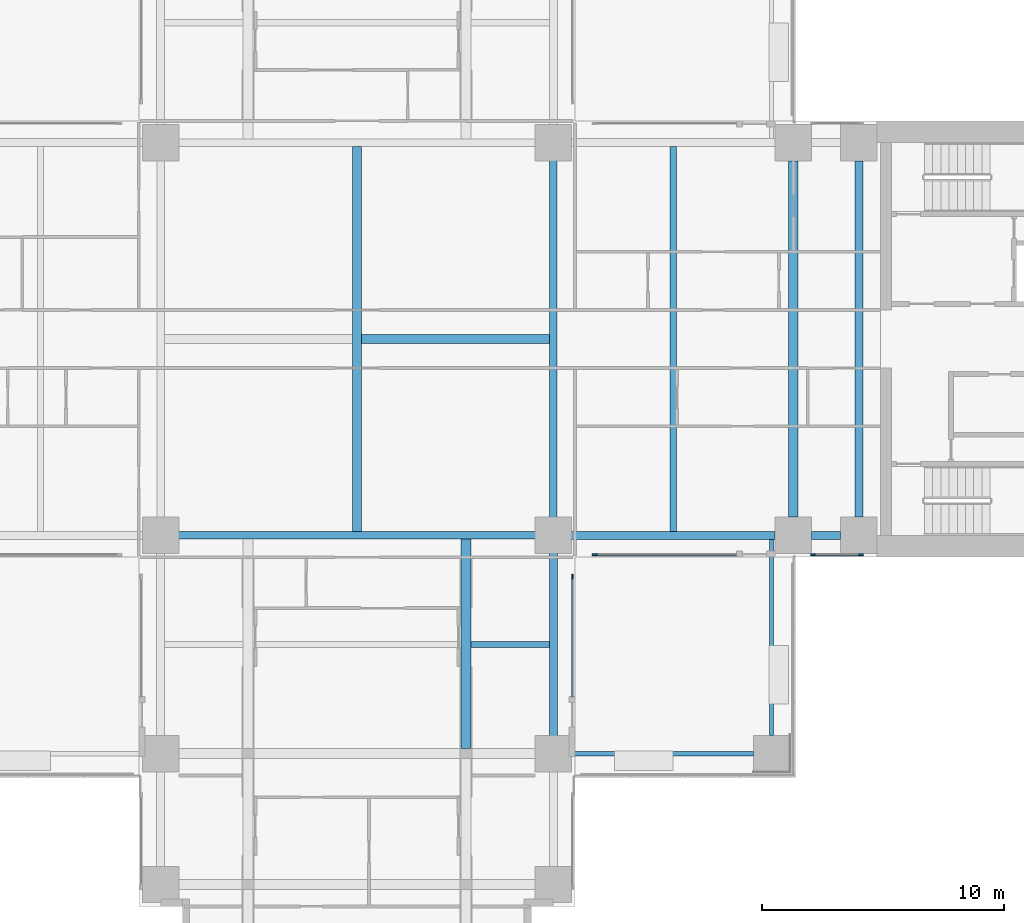
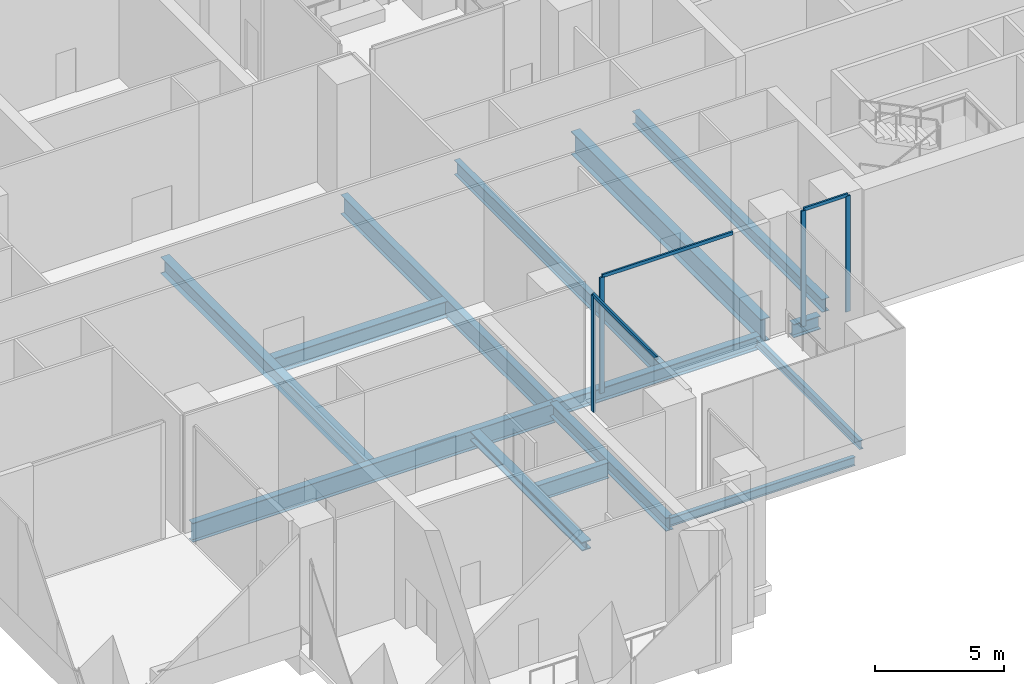
# One storey, part 3 of 17: 14 beams, 7 members, 3 elements without a shape of their own.
"""IFC4 building model written with IfcOpenShell, lengths in metres."""

import ifcopenshell
import ifcopenshell.guid

model = None  # the IFC model being written
_history = None  # IfcOwnerHistory: only IFC2X3 demands one
_inside = {}  # id of a spatial element -> (the spatial element, [elements in it])
_under = {}  # id of a project, library or spatial element -> (it, [spatial elements below it])
_declared = {}  # id of a project -> (the project, [libraries it declares])
_typed = {}  # id of a type object -> (the type object, [elements of that type])
_made_of = {}  # id of a material, layer set ... -> (it, [elements and type objects made of it])


def new_model(schema):
    """Start an empty IFC model of exactly this schema.

    Asked for "IFC4X3", IfcOpenShell would pick the latest addendum, in which some entities
    have other attributes; the version numbers below select the first issue.
    IFC2X3 requires an IfcOwnerHistory on every rooted entity: one is made here for all.
    """
    global model, _history
    if schema == "IFC4X3":
        model = ifcopenshell.file(schema_version=(4, 3, 0, 0))
    else:
        model = ifcopenshell.file(schema=schema)
    _inside.clear()
    _under.clear()
    _declared.clear()
    _typed.clear()
    _made_of.clear()
    _history = None
    if model.schema == "IFC2X3":
        org = make("IfcOrganization", Name="unknown")
        user = make(
            "IfcPersonAndOrganization",
            ThePerson=make("IfcPerson", FamilyName="unknown"),
            TheOrganization=org,
        )
        app = make(
            "IfcApplication",
            ApplicationDeveloper=org,
            Version="unknown",
            ApplicationFullName="unknown",
            ApplicationIdentifier="unknown",
        )
        _history = make(
            "IfcOwnerHistory",
            OwningUser=user,
            OwningApplication=app,
            ChangeAction="ADDED",
            CreationDate=0,
        )
    return model


def make(cls, **values):
    """One entity of the class cls with the attributes given. An attribute that is None is left unset."""
    return model.create_entity(
        cls, **{name: value for name, value in values.items() if value is not None}
    )


def rooted(cls, **values):
    """An entity with a GlobalId (a new one), such as an element, a storey or a relation."""
    return make(cls, GlobalId=ifcopenshell.guid.new(), OwnerHistory=_history, **values)


def si_unit(unit_type, name, prefix=None):
    """IfcSIUnit, for example si_unit("LENGTHUNIT", "METRE", prefix="MILLI")."""
    return make("IfcSIUnit", UnitType=unit_type, Prefix=prefix, Name=name)


def assignment(units):
    """IfcUnitAssignment: the units of a project."""
    return None if units is None else make("IfcUnitAssignment", Units=units)


def point(xyz):
    """IfcCartesianPoint."""
    return None if xyz is None else make("IfcCartesianPoint", Coordinates=xyz)


def direction(xyz):
    """IfcDirection."""
    return None if xyz is None else make("IfcDirection", DirectionRatios=xyz)


def frame(location, z_axis=None, x_axis=None):
    """IfcAxis2Placement3D, a coordinate frame: its origin and axes. An axis left out is left unset."""
    return make(
        "IfcAxis2Placement3D",
        Location=point(location),
        Axis=direction(z_axis),
        RefDirection=direction(x_axis),
    )


def frame_2d(location, x_axis=None):
    """IfcAxis2Placement2D, a coordinate frame in the plane: its origin and x axis."""
    return make(
        "IfcAxis2Placement2D", Location=point(location), RefDirection=direction(x_axis)
    )


def origin():
    """The frame at (0, 0, 0) with its axes left unset."""
    return frame((0.0, 0.0, 0.0))


def origin_2d():
    """The frame at (0, 0) in the plane with its x axis left unset."""
    return frame_2d((0.0, 0.0))


def place(relative_to, where):
    """IfcLocalPlacement: puts the frame where relative to a parent placement (None: the world)."""
    return make(
        "IfcLocalPlacement", PlacementRelTo=relative_to, RelativePlacement=where
    )


def context(
    kind, dimensions, precision=None, world=None, true_north=None, identifier=None
):
    """IfcGeometricRepresentationContext, for example the 3D "Model" context."""
    return make(
        "IfcGeometricRepresentationContext",
        ContextIdentifier=identifier,
        ContextType=kind,
        CoordinateSpaceDimension=dimensions,
        Precision=precision,
        WorldCoordinateSystem=world,
        TrueNorth=true_north,
    )


def subcontext(parent, identifier, kind, view, scale=None):
    """IfcGeometricRepresentationSubContext, for example "Body" below "Model"."""
    return make(
        "IfcGeometricRepresentationSubContext",
        ContextIdentifier=identifier,
        ContextType=kind,
        ParentContext=parent,
        TargetScale=scale,
        TargetView=view,
    )


def project(units=None, contexts=None):
    """IfcProject with its units and contexts."""
    return rooted(
        "IfcProject",
        Name="project",
        RepresentationContexts=contexts,
        UnitsInContext=assignment(units),
    )


def spatial(cls, under=None, at=None, **own):
    """A site, building, storey or space (cls), placed at a placement, below another one or the project."""
    s = rooted(cls, ObjectPlacement=at, **own)
    if under is not None:
        _under.setdefault(under.id(), (under, []))[1].append(s)
    return s


def profile(cls, at=None, kind="AREA", **sizes):
    """A parametric profile (cls). Its sizes go by their IFC names, for example OverallWidth=200.0."""
    return make(cls, ProfileType=kind, Position=at, **sizes)


def rectangle(**sizes):
    """IfcRectangleProfileDef."""
    return profile("IfcRectangleProfileDef", **sizes)


def i_section(**sizes):
    """IfcIShapeProfileDef."""
    return profile("IfcIShapeProfileDef", **sizes)


def extrude(swept, where, along, depth):
    """IfcExtrudedAreaSolid: the profile swept, set in the frame where, extruded along a direction by depth."""
    return make(
        "IfcExtrudedAreaSolid",
        SweptArea=swept,
        Position=where,
        ExtrudedDirection=direction(along),
        Depth=depth,
    )


def shape(context_of_items, identifier, shape_type, items):
    """IfcShapeRepresentation: the items that make up one representation, for example the "Body"."""
    return make(
        "IfcShapeRepresentation",
        ContextOfItems=context_of_items,
        RepresentationIdentifier=identifier,
        RepresentationType=shape_type,
        Items=items,
    )


def material(Name=None, Category=None):
    """IfcMaterial."""
    return make("IfcMaterial", Name=Name, Category=Category)


def material_profile(
    of_material, cross_section, Name=None, Category=None, Priority=None
):
    """IfcMaterialProfile: a cross section and its material."""
    return make(
        "IfcMaterialProfile",
        Name=Name,
        Material=of_material,
        Profile=cross_section,
        Priority=Priority,
        Category=Category,
    )


def profile_set(profiles, Name=None, composite=None):
    """IfcMaterialProfileSet."""
    return make(
        "IfcMaterialProfileSet",
        Name=Name,
        MaterialProfiles=profiles,
        CompositeProfile=composite,
    )


def made_of(thing, what):
    """Note that an element or type object is made of a material, layer set ...; save() writes the relation."""
    if what is not None:
        _made_of.setdefault(what.id(), (what, []))[1].append(thing)
    return thing


def type_object(cls, material=None, **own):
    """A type object (cls), such as IfcWallType, which elements share."""
    return made_of(rooted(cls, **own), material)


def element(
    cls,
    number,
    at=None,
    inside=None,
    cuts=None,
    type_object=None,
    material=None,
    context=None,
    identifier="Body",
    shape_type=None,
    held_by="IfcProductDefinitionShape",
    body=None,
    shapes=None,
    **own,
):
    """One element of the class cls, such as IfcWall. Its Tag is "e" and its number.

    at: its placement. inside: the storey or other place that contains it. cuts: it is an
    opening in that element (IfcRelVoidsElement). A single representation is given by context,
    identifier, shape_type and body (its items); several are given by shapes. held_by: the class
    of the entity that holds the representations. save() writes the other relations.
    """
    e = rooted(cls, Tag="e%d" % number, ObjectPlacement=at, **own)
    if body is not None:
        shapes = [shape(context, identifier, shape_type, body)]
    if shapes is not None:
        e.Representation = make(held_by, Representations=shapes)
    if inside is not None:
        _inside.setdefault(inside.id(), (inside, []))[1].append(e)
    if cuts is not None:
        rooted(
            "IfcRelVoidsElement", RelatingBuildingElement=cuts, RelatedOpeningElement=e
        )
    if type_object is not None:
        _typed.setdefault(type_object.id(), (type_object, []))[1].append(e)
    return made_of(e, material)


def aggregate(whole, parts):
    """IfcRelAggregates: a whole, such as a stair, and the parts it consists of."""
    return rooted("IfcRelAggregates", RelatingObject=whole, RelatedObjects=parts)


def save(model, path):
    """Write the relations noted so far, then the file.

    IfcRelAggregates (storeys below a building ...), IfcRelContainedInSpatialStructure (elements
    in a storey), IfcRelDefinesByType, IfcRelAssociatesMaterial and IfcRelDeclares: one each for
    every whole, place, type object, material and project.
    """
    for whole, parts in _under.values():
        aggregate(whole, parts)
    for where, things in _inside.values():
        rooted(
            "IfcRelContainedInSpatialStructure",
            RelatedElements=things,
            RelatingStructure=where,
        )
    for kind, things in _typed.values():
        rooted("IfcRelDefinesByType", RelatedObjects=things, RelatingType=kind)
    for what, things in _made_of.values():
        rooted("IfcRelAssociatesMaterial", RelatedObjects=things, RelatingMaterial=what)
    for by, libraries in _declared.values():
        rooted("IfcRelDeclares", RelatingContext=by, RelatedDefinitions=libraries)
    model.write(path)


model = new_model("IFC4")

# Units and contexts
model_context = context("Model", 3, precision=1e-05, world=origin(), true_north=direction((0.0, 1.0)))
body_context = subcontext(model_context, "Body", "Model", "MODEL_VIEW")
ifc_project = project(units=[si_unit("LENGTHUNIT", "METRE"), si_unit("AREAUNIT", "SQUARE_METRE"), si_unit("VOLUMEUNIT", "CUBIC_METRE"), si_unit("PLANEANGLEUNIT", "RADIAN"), si_unit("MASSUNIT", "GRAM", prefix="KILO")], contexts=[model_context])

# Site, building, storey
site_placement = place(None, origin())
site = spatial("IfcSite", under=ifc_project, at=site_placement, CompositionType="ELEMENT")
building_placement = place(site_placement, origin())
building = spatial("IfcBuilding", under=site, at=building_placement, Name="Perihelion Cross Residences", CompositionType="ELEMENT")
storey_placement = place(building_placement, frame((0.0, 0.0, 21.0)))
storey = spatial("IfcBuildingStorey", under=building, at=storey_placement, Name="L02", CompositionType="ELEMENT", Elevation=21.0)

# Curtain wall, member
ifc_material_1 = material(Name="Bronze anodised aluminium, tinted glazing", Category="aluminium")
curtain_wall_type = type_object("IfcCurtainWallType", Name="CW2", PredefinedType="NOTDEFINED", material=ifc_material_1)
curtain_wall_1_placement = place(storey_placement, origin())
curtain_wall_1 = element("IfcCurtainWall", 1, at=curtain_wall_1_placement, inside=storey, type_object=curtain_wall_type, Name="Curtain wall CW2 L02 south side east bay 2", PredefinedType="NOTDEFINED")
ifc_material_2 = material(Name="Bronze anodised aluminium", Category="aluminium")
ifc_material_profile_1 = material_profile(ifc_material_2, rectangle(XDim=0.080078125, YDim=0.199951171875, at=origin_2d()), Name="CW2 mullion")
ifc_profile_set_1 = profile_set([ifc_material_profile_1], Name="Bronze anodised aluminium")
member_type_1 = type_object("IfcMemberType", Name="CW2 mullion", PredefinedType="MULLION", material=ifc_profile_set_1)
member_1_placement = place(storey_placement, frame((8.889892578125, -9.81005859375, 0.0), z_axis=(0.0, 0.0, 1.0), x_axis=(-1.0, 0.0, 0.0)))
member_1 = element("IfcMember", 2, at=member_1_placement, type_object=member_type_1, Name="CW2 mullion 2", PredefinedType="MULLION", context=body_context, shape_type="SweptSolid", body=[
    extrude(rectangle(XDim=0.080078125, YDim=0.199951171875, at=origin_2d()), origin(), (0.0, 0.0, 1.0), 5.469970703125),
])

curtain_wall_2_placement = place(storey_placement, origin())
curtain_wall_2 = element("IfcCurtainWall", 3, at=curtain_wall_2_placement, inside=storey, type_object=curtain_wall_type, Name="Curtain wall CW2 L02 east side south bay 1", PredefinedType="NOTDEFINED")
member_2_placement = place(storey_placement, frame((9.81005859375, -8.889892578125, 0.0), z_axis=(0.0, 0.0, 1.0), x_axis=(0.0, 1.0, 0.0)))
member_2 = element("IfcMember", 4, at=member_2_placement, type_object=member_type_1, Name="CW2 mullion 1", PredefinedType="MULLION", context=body_context, shape_type="SweptSolid", body=[
    extrude(rectangle(XDim=0.080078125, YDim=0.199951171875, at=origin_2d()), origin(), (0.0, 0.0, 1.0), 5.469970703125),
])

# Curtain wall, members
curtain_wall_3_placement = place(storey_placement, origin())
curtain_wall_3 = element("IfcCurtainWall", 5, at=curtain_wall_3_placement, inside=storey, type_object=curtain_wall_type, Name="Curtain wall CW2 L02 east side south bay 2", PredefinedType="NOTDEFINED")
member_3_placement = place(storey_placement, frame((18.81005859375, -8.889892578125, 0.0), z_axis=(0.0, 0.0, 1.0), x_axis=(0.0, 1.0, 0.0)))
member_3 = element("IfcMember", 6, at=member_3_placement, type_object=member_type_1, Name="CW2 mullion 1", PredefinedType="MULLION", context=body_context, shape_type="SweptSolid", body=[
    extrude(rectangle(XDim=0.080078125, YDim=0.199951171875, at=origin_2d()), origin(), (0.0, 0.0, 1.0), 5.469970703125),
])
member_4_placement = place(storey_placement, frame((20.7900390625, -8.889892578125, 0.0), z_axis=(0.0, 0.0, 1.0), x_axis=(0.0, 1.0, 0.0)))
member_4 = element("IfcMember", 7, at=member_4_placement, type_object=member_type_1, Name="CW2 mullion 2", PredefinedType="MULLION", context=body_context, shape_type="SweptSolid", body=[
    extrude(rectangle(XDim=0.080078125, YDim=0.199951171875, at=origin_2d()), origin(), (0.0, 0.0, 1.0), 5.469970703125),
])

# Member
ifc_material_3 = material(Name="Bronze anodised aluminium", Category="aluminium")
ifc_material_profile_2 = material_profile(ifc_material_3, rectangle(XDim=0.080078125, YDim=0.159912109375, at=origin_2d()), Name="CW2 transom")
ifc_profile_set_2 = profile_set([ifc_material_profile_2], Name="Bronze anodised aluminium")
member_type_2 = type_object("IfcMemberType", Name="CW2 transom", PredefinedType="USERDEFINED", material=ifc_profile_set_2)
member_5_placement = place(storey_placement, frame((8.889892578125, -14.75, 5.510009765625), z_axis=(0.0, 1.0, 0.0), x_axis=(-1.0, 0.0, 0.0)))
member_5 = element("IfcMember", 8, at=member_5_placement, type_object=member_type_2, Name="CW2 head transom", ObjectType="TRANSOM", PredefinedType="USERDEFINED", context=body_context, shape_type="SweptSolid", body=[
    extrude(rectangle(XDim=0.080078125, YDim=0.159912109375, at=origin_2d()), origin(), (0.0, 0.0, 1.0), 4.93994140625),
])

aggregate(curtain_wall_1, [member_1, member_5])

member_6_placement = place(storey_placement, frame((9.81005859375, -8.889892578125, 5.510009765625), z_axis=(1.0, 0.0, 0.0), x_axis=(0.0, 1.0, 0.0)))
member_6 = element("IfcMember", 9, at=member_6_placement, type_object=member_type_2, Name="CW2 head transom", ObjectType="TRANSOM", PredefinedType="USERDEFINED", context=body_context, shape_type="SweptSolid", body=[
    extrude(rectangle(XDim=0.080078125, YDim=0.159912109375, at=origin_2d()), origin(), (0.0, 0.0, 1.0), 5.83984375),
])

aggregate(curtain_wall_2, [member_2, member_6])

member_7_placement = place(storey_placement, frame((18.81005859375, -8.889892578125, 5.510009765625), z_axis=(1.0, 0.0, 0.0), x_axis=(0.0, 1.0, 0.0)))
member_7 = element("IfcMember", 10, at=member_7_placement, type_object=member_type_2, Name="CW2 head transom", ObjectType="TRANSOM", PredefinedType="USERDEFINED", context=body_context, shape_type="SweptSolid", body=[
    extrude(rectangle(XDim=0.080078125, YDim=0.159912109375, at=origin_2d()), origin(), (0.0, 0.0, 1.0), 1.97998046875),
])

aggregate(curtain_wall_3, [member_3, member_4, member_7])

# Beams
ifc_material_4 = material(Name="Steel S355", Category="steel")
ifc_material_profile_3 = material_profile(ifc_material_4, i_section(OverallWidth=0.406005859375, OverallDepth=0.4169921875, WebThickness=0.030029296875, FlangeThickness=0.048095703125, at=origin_2d()), Name="W360x382")
ifc_profile_set_3 = profile_set([ifc_material_profile_3], Name="Steel S355")
beam_type_1 = type_object("IfcBeamType", Name="Core edge beam W360x382", PredefinedType="BEAM", material=ifc_profile_set_3)
beam_1_placement = place(storey_placement, frame((4.5, -8.25244140625, -0.508544921875), z_axis=(0.0, -1.0, 0.0), x_axis=(1.0, 0.0, 0.0)))
element("IfcBeam", 11, at=beam_1_placement, inside=storey, type_object=beam_type_1, Name="Core edge beam TB3 L02 spine no. 7", PredefinedType="BEAM", context=body_context, shape_type="SweptSolid", body=[
    extrude(i_section(OverallWidth=0.406005859375, OverallDepth=0.4169921875, WebThickness=0.030029296875, FlangeThickness=0.048095703125, at=origin_2d()), origin(), (0.0, 0.0, 1.0), 8.64697265625),
])
ifc_material_5 = material(Name="Steel S355", Category="steel")
ifc_material_profile_4 = material_profile(ifc_material_5, i_section(OverallWidth=0.177978515625, OverallDepth=0.406005859375, WebThickness=0.0078125, FlangeThickness=0.0126953125, at=origin_2d()), Name="W410x60")
ifc_profile_set_4 = profile_set([ifc_material_profile_4], Name="Steel S355")
beam_type_2 = type_object("IfcBeamType", Name="Core edge beam W410x60", PredefinedType="BEAM", material=ifc_profile_set_4)
beam_2_placement = place(storey_placement, frame((17.10009765625, -8.264892578125, -0.5029296875), z_axis=(0.0, -1.0, 0.0), x_axis=(1.0, 0.0, 0.0)))
element("IfcBeam", 12, at=beam_2_placement, inside=storey, type_object=beam_type_2, Name="Core edge beam TB2 L02 corner no. 5", PredefinedType="BEAM", context=body_context, shape_type="SweptSolid", body=[
    extrude(i_section(OverallWidth=0.177978515625, OverallDepth=0.406005859375, WebThickness=0.0078125, FlangeThickness=0.0126953125, at=origin_2d()), origin(), (0.0, 0.0, 1.0), 8.085205078125),
])
beam_3_placement = place(storey_placement, frame((8.10009765625, -17.10009765625, -0.5029296875), z_axis=(1.0, 0.0, 0.0), x_axis=(0.0, 1.0, 0.0)))
element("IfcBeam", 13, at=beam_3_placement, inside=storey, type_object=beam_type_2, Name="Core edge beam TB2 L02 corner no. 6", PredefinedType="BEAM", context=body_context, shape_type="SweptSolid", body=[
    extrude(i_section(OverallWidth=0.177978515625, OverallDepth=0.406005859375, WebThickness=0.0078125, FlangeThickness=0.0126953125, at=origin_2d()), origin(), (0.0, 0.0, 1.0), 8.25),
])
ifc_material_6 = material(Name="Steel S355", Category="steel")
ifc_material_profile_5 = material_profile(ifc_material_6, i_section(OverallWidth=0.324951171875, OverallDepth=0.616943359375, WebThickness=0.013916015625, FlangeThickness=0.021484375, at=origin_2d()), Name="W610x174")
ifc_profile_set_5 = profile_set([ifc_material_profile_5], Name="Steel S355")
beam_type_3 = type_object("IfcBeamType", Name="Core edge beam W610x174", PredefinedType="BEAM", material=ifc_profile_set_5)
beam_4_placement = place(storey_placement, frame((20.699951171875, -7.35009765625, -0.6083984375), z_axis=(0.0, 1.0, 0.0), x_axis=(-1.0, 0.0, 0.0)))
element("IfcBeam", 14, at=beam_4_placement, inside=storey, type_object=beam_type_3, Name="Core edge beam TB1 L02 no. 2", PredefinedType="BEAM", context=body_context, shape_type="SweptSolid", body=[
    extrude(i_section(OverallWidth=0.324951171875, OverallDepth=0.616943359375, WebThickness=0.013916015625, FlangeThickness=0.021484375, at=origin_2d()), origin(), (0.0, 0.0, 1.0), 14.7001953125),
])
ifc_material_7 = material(Name="Steel S355", Category="steel")
ifc_material_profile_6 = material_profile(ifc_material_7, i_section(OverallWidth=0.330078125, OverallDepth=0.635009765625, WebThickness=0.017822265625, FlangeThickness=0.031005859375, at=origin_2d()), Name="W610x241")
ifc_profile_set_6 = profile_set([ifc_material_profile_6], Name="Steel S355")
beam_type_4 = type_object("IfcBeamType", Name="Edge beam W610x241", PredefinedType="SPANDREL", material=ifc_profile_set_6)
beam_5_placement = place(storey_placement, frame((8.10009765625, -17.10009765625, -0.617431640625), z_axis=(0.0, 1.0, 0.0), x_axis=(-1.0, 0.0, 0.0)))
element("IfcBeam", 15, at=beam_5_placement, inside=storey, type_object=beam_type_4, Name="Edge beam SB1 L02 no. 12", PredefinedType="SPANDREL", context=body_context, shape_type="SweptSolid", body=[
    extrude(i_section(OverallWidth=0.330078125, OverallDepth=0.635009765625, WebThickness=0.017822265625, FlangeThickness=0.031005859375, at=origin_2d()), origin(), (0.0, 0.0, 1.0), 9.0),
])
beam_6_placement = place(storey_placement, frame((8.10009765625, -8.10009765625, -0.617431640625), z_axis=(1.0, 0.0, 0.0), x_axis=(0.0, 1.0, 0.0)))
element("IfcBeam", 16, at=beam_6_placement, inside=storey, type_object=beam_type_4, Name="Edge beam SB1 L02 no. 14", PredefinedType="SPANDREL", context=body_context, shape_type="SweptSolid", body=[
    extrude(i_section(OverallWidth=0.330078125, OverallDepth=0.635009765625, WebThickness=0.017822265625, FlangeThickness=0.031005859375, at=origin_2d()), origin(), (0.0, 0.0, 1.0), 9.14990234375),
])
beam_7_placement = place(storey_placement, frame((18.75, -8.10009765625, -0.617431640625), z_axis=(1.0, 0.0, 0.0), x_axis=(0.0, 1.0, 0.0)))
element("IfcBeam", 17, at=beam_7_placement, inside=storey, type_object=beam_type_4, Name="Edge beam SB1 L02 no. 9", PredefinedType="SPANDREL", context=body_context, shape_type="SweptSolid", body=[
    extrude(i_section(OverallWidth=0.330078125, OverallDepth=0.635009765625, WebThickness=0.017822265625, FlangeThickness=0.031005859375, at=origin_2d()), origin(), (0.0, 0.0, 1.0), 1.199951171875),
])
ifc_material_8 = material(Name="Steel S355", Category="steel")
ifc_material_profile_7 = material_profile(ifc_material_8, i_section(OverallWidth=0.257080078125, OverallDepth=0.693115234375, WebThickness=0.014404296875, FlangeThickness=0.023681640625, at=origin_2d()), Name="W690x170")
ifc_profile_set_7 = profile_set([ifc_material_profile_7], Name="Steel S355")
beam_type_5 = type_object("IfcBeamType", Name="Floor joist W690x170", PredefinedType="JOIST", material=ifc_profile_set_7)
beam_8_placement = place(storey_placement, frame((13.050048828125, -7.93505859375, -0.646484375), z_axis=(0.0, 1.0, 0.0), x_axis=(-1.0, 0.0, 0.0)))
element("IfcBeam", 18, at=beam_8_placement, inside=storey, type_object=beam_type_5, Name="Joist J1 L02 no. 2", PredefinedType="JOIST", context=body_context, shape_type="SweptSolid", body=[
    extrude(i_section(OverallWidth=0.257080078125, OverallDepth=0.693115234375, WebThickness=0.014404296875, FlangeThickness=0.023681640625, at=origin_2d()), origin(), (0.0, 0.0, 1.0), 15.8701171875),
])
ifc_material_9 = material(Name="Steel S355", Category="steel")
ifc_material_profile_8 = material_profile(ifc_material_9, i_section(OverallWidth=0.26708984375, OverallDepth=0.75390625, WebThickness=0.01318359375, FlangeThickness=0.01708984375, at=origin_2d()), Name="W760x147")
ifc_profile_set_8 = profile_set([ifc_material_profile_8], Name="Steel S355")
beam_type_6 = type_object("IfcBeamType", Name="Floor joist W760x147", PredefinedType="JOIST", material=ifc_profile_set_8)
beam_9_placement = place(storey_placement, frame((4.702880859375, -12.60009765625, -0.677001953125), z_axis=(1.0, 0.0, 0.0), x_axis=(0.0, 1.0, 0.0)))
element("IfcBeam", 19, at=beam_9_placement, inside=storey, type_object=beam_type_6, Name="Joist J2 L02 no. 3", PredefinedType="JOIST", context=body_context, shape_type="SweptSolid", body=[
    extrude(i_section(OverallWidth=0.26708984375, OverallDepth=0.75390625, WebThickness=0.01318359375, FlangeThickness=0.01708984375, at=origin_2d()), origin(), (0.0, 0.0, 1.0), 3.232177734375),
])
ifc_material_10 = material(Name="Steel S355", Category="steel")
ifc_material_profile_9 = material_profile(ifc_material_10, i_section(OverallWidth=0.381103515625, OverallDepth=0.77197265625, WebThickness=0.0166015625, FlangeThickness=0.027099609375, at=origin_2d()), Name="W760x257")
ifc_profile_set_9 = profile_set([ifc_material_profile_9], Name="Steel S355")
beam_type_7 = type_object("IfcBeamType", Name="Hub cross beam W760x257", PredefinedType="BEAM", material=ifc_profile_set_9)
beam_10_placement = place(storey_placement, frame((0.0, -7.947509765625, -0.68603515625), z_axis=(0.0, 1.0, 0.0), x_axis=(-1.0, 0.0, 0.0)))
element("IfcBeam", 20, at=beam_10_placement, inside=storey, type_object=beam_type_7, Name="Hub cross beam XB1 L02 no. 1", PredefinedType="BEAM", context=body_context, shape_type="SweptSolid", body=[
    extrude(i_section(OverallWidth=0.381103515625, OverallDepth=0.77197265625, WebThickness=0.0166015625, FlangeThickness=0.027099609375, at=origin_2d()), origin(), (0.0, 0.0, 1.0), 15.89501953125),
])
beam_11_placement = place(storey_placement, frame((0.1904296875, 0.0, -0.68603515625), z_axis=(1.0, 0.0, 0.0), x_axis=(0.0, 1.0, 0.0)))
element("IfcBeam", 21, at=beam_11_placement, inside=storey, type_object=beam_type_7, Name="Hub cross beam XB1 L02 2 no. 1", PredefinedType="BEAM", context=body_context, shape_type="SweptSolid", body=[
    extrude(i_section(OverallWidth=0.381103515625, OverallDepth=0.77197265625, WebThickness=0.0166015625, FlangeThickness=0.027099609375, at=origin_2d()), origin(), (0.0, 0.0, 1.0), 7.757080078125),
])
ifc_material_11 = material(Name="Steel S355", Category="steel")
ifc_material_profile_10 = material_profile(ifc_material_11, i_section(OverallWidth=0.304931640625, OverallDepth=0.904052734375, WebThickness=0.01513671875, FlangeThickness=0.02001953125, at=origin_2d()), Name="W920x201")
ifc_profile_set_10 = profile_set([ifc_material_profile_10], Name="Steel S355")
beam_type_8 = type_object("IfcBeamType", Name="Hub ring girder W920x201", PredefinedType="BEAM", material=ifc_profile_set_10)
for number, where, z_axis, x_axis, name in (
    (22, (-8.10009765625, -8.10009765625, -0.751953125), (1.0, 0.0, 0.0), (0.0, 1.0, 0.0), "Hub ring girder RG1 L02 no. 1"),
    (23, (8.10009765625, -8.10009765625, -0.751953125), (0.0, 1.0, 0.0), (-1.0, 0.0, 0.0), "Hub ring girder RG1 L02 no. 3"),
):
    element("IfcBeam", number, at=place(storey_placement, frame(where, z_axis=z_axis, x_axis=x_axis)), inside=storey, type_object=beam_type_8, Name=name, PredefinedType="BEAM", context=body_context, shape_type="SweptSolid", body=[
        extrude(i_section(OverallWidth=0.304931640625, OverallDepth=0.904052734375, WebThickness=0.01513671875, FlangeThickness=0.02001953125, at=origin_2d()), origin(), (0.0, 0.0, 1.0), 16.2001953125),
    ])
ifc_material_12 = material(Name="Steel S355", Category="steel")
ifc_material_profile_11 = material_profile(ifc_material_12, i_section(OverallWidth=0.40087890625, OverallDepth=1.090087890625, WebThickness=0.01806640625, FlangeThickness=0.031005859375, at=origin_2d()), Name="W1100x343")
ifc_profile_set_11 = profile_set([ifc_material_profile_11], Name="Steel S355")
beam_type_9 = type_object("IfcBeamType", Name="Transfer girder W1100x343", PredefinedType="BEAM", material=ifc_profile_set_11)
beam_12_placement = place(storey_placement, frame((18.0, -7.35009765625, -0.844970703125), z_axis=(0.0, 1.0, 0.0), x_axis=(-1.0, 0.0, 0.0)))
element("IfcBeam", 24, at=beam_12_placement, inside=storey, type_object=beam_type_9, Name="Girder TG1 L02 no. 2", PredefinedType="BEAM", context=body_context, shape_type="SweptSolid", body=[
    extrude(i_section(OverallWidth=0.40087890625, OverallDepth=1.090087890625, WebThickness=0.01806640625, FlangeThickness=0.031005859375, at=origin_2d()), origin(), (0.0, 0.0, 1.0), 14.7001953125),
])

save(model, "model.ifc")
